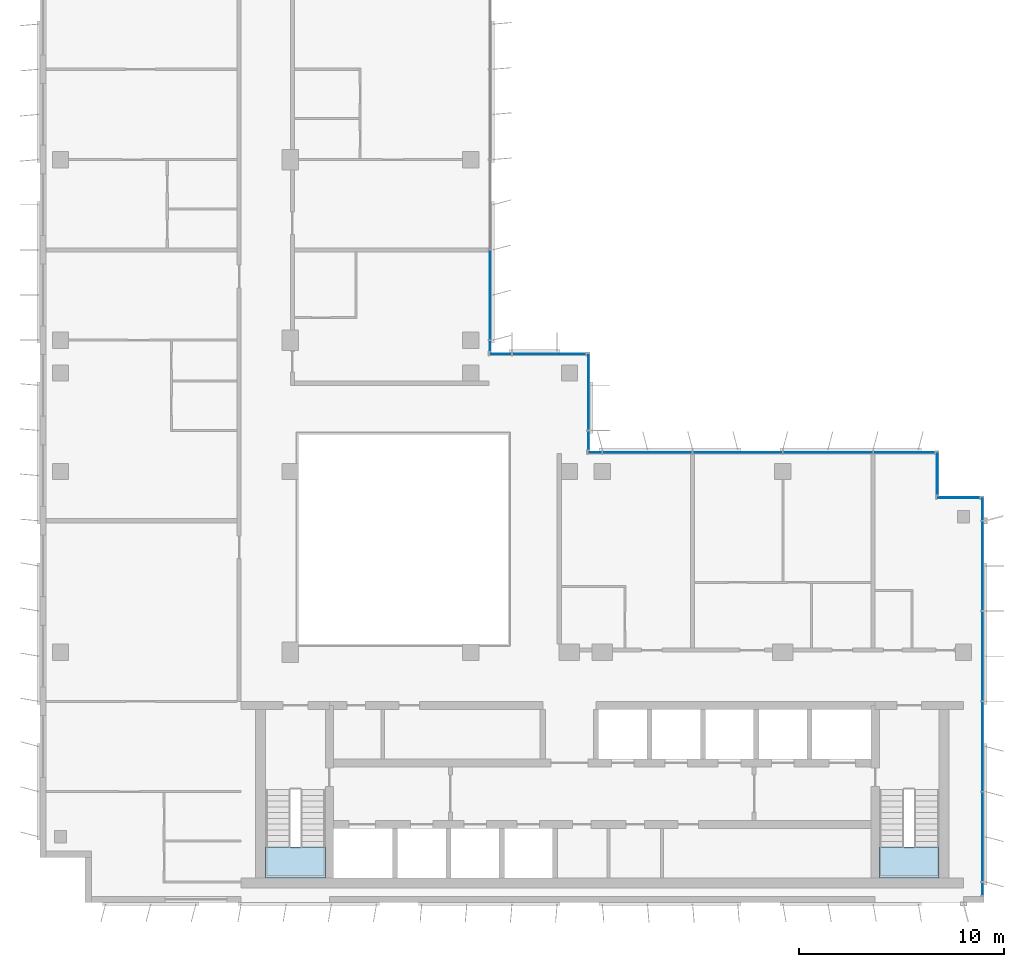
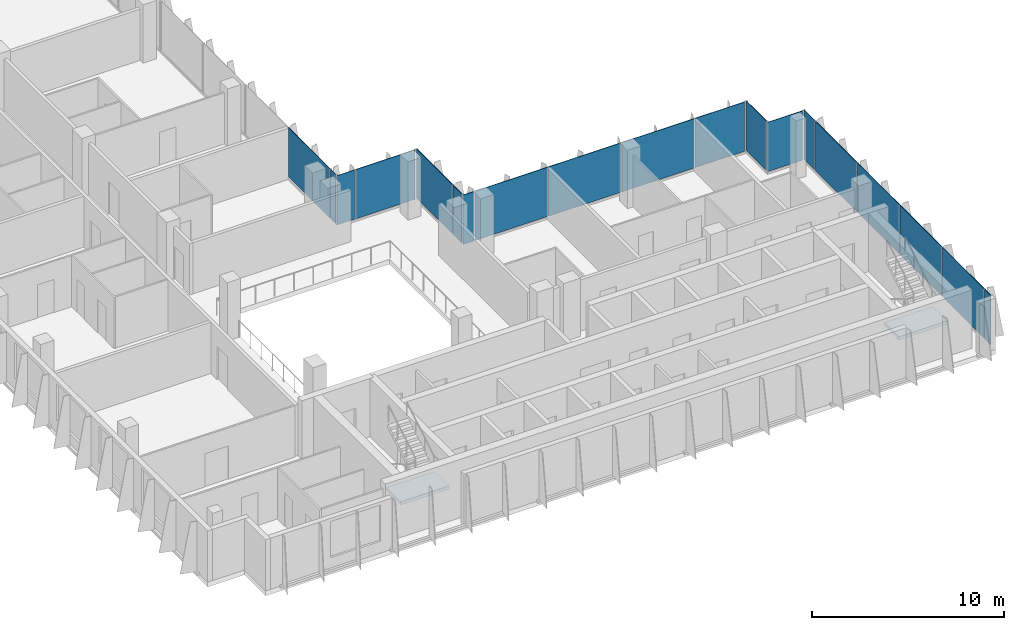
# One storey, part 7 of 15: 19 plates, 2 slabs, 9 elements without a shape of their own.
"""IFC4 building model written with IfcOpenShell, lengths in metres."""

from ifc_helpers import new_model, si_unit, direction, frame, origin, origin_2d, place, context, subcontext, project, spatial, polyline, rectangle, outline, extrude, source, transform, mapped, material, layer, layer_set, type_object, element, aggregate, save


model = new_model("IFC4")

# Units and contexts
model_context = context("Model", 3, precision=1e-05, world=origin(), true_north=direction((0.0, 1.0)))
body_context = subcontext(model_context, "Body", "Model", "MODEL_VIEW")
ifc_project = project(units=[si_unit("LENGTHUNIT", "METRE"), si_unit("AREAUNIT", "SQUARE_METRE"), si_unit("VOLUMEUNIT", "CUBIC_METRE"), si_unit("PLANEANGLEUNIT", "RADIAN"), si_unit("MASSUNIT", "GRAM", prefix="KILO")], contexts=[model_context])

# Site, building, storey
site_placement = place(None, origin())
site = spatial("IfcSite", under=ifc_project, at=site_placement, CompositionType="ELEMENT")
building_placement = place(site_placement, origin())
building = spatial("IfcBuilding", under=site, at=building_placement, Name="Kemantara Hotel Tower", CompositionType="ELEMENT")
storey_placement = place(building_placement, frame((0.0, 0.0, 305.5)))
storey = spatial("IfcBuildingStorey", under=building, at=storey_placement, Name="L77", CompositionType="ELEMENT", Elevation=305.5)

# Stair, slab
ifc_material_1 = material(Name="Concrete fc 40 MPa", Category="concrete")
stair_type = type_object("IfcStairType", Name="Stair 1200 wide 22 risers of 168 x 280 mm", PredefinedType="HALF_TURN_STAIR", material=ifc_material_1)
stair_1_placement = place(storey_placement, origin())
stair_1 = element("IfcStair", 1, at=stair_1_placement, inside=storey, type_object=stair_type, Name="L77 Exit stair ST1", PredefinedType="HALF_TURN_STAIR")
ifc_layer_1 = layer(ifc_material_1, 0.199951171875)
ifc_layer_set_1 = layer_set([ifc_layer_1], Name="Concrete fc 40 MPa")
slab_type = type_object("IfcSlabType", Name="Stair landing 200 mm", PredefinedType="LANDING", material=ifc_layer_set_1)
slab_1_placement = place(storey_placement, frame((0.0, 0.0, 1.64990234375)))
slab_1 = element("IfcSlab", 2, at=slab_1_placement, type_object=slab_type, Name="ST1 landing 1", PredefinedType="LANDING", context=body_context, shape_type="SweptSolid", body=[
    extrude(outline(polyline([(11.0, 2.699951171875), (11.0, 1.199951171875), (13.89990234375, 1.199951171875), (13.89990234375, 2.699951171875), (11.0, 2.699951171875)])), origin(), (0.0, 0.0, 1.0), 0.2001953125),
])
aggregate(stair_1, [slab_1])

stair_2_placement = place(storey_placement, origin())
stair_2 = element("IfcStair", 3, at=stair_2_placement, inside=storey, type_object=stair_type, Name="L77 Exit stair ST2", PredefinedType="HALF_TURN_STAIR")
slab_2_placement = place(storey_placement, frame((0.0, 0.0, 1.64990234375)))
slab_2 = element("IfcSlab", 4, at=slab_2_placement, type_object=slab_type, Name="ST2 landing 1", PredefinedType="LANDING", context=body_context, shape_type="SweptSolid", body=[
    extrude(outline(polyline([(40.89990234375, 2.699951171875), (40.89990234375, 1.199951171875), (43.800048828125, 1.199951171875), (43.800048828125, 2.699951171875), (40.89990234375, 2.699951171875)])), origin(), (0.0, 0.0, 1.0), 0.2001953125),
])
aggregate(stair_2, [slab_2])

# Curtain wall, plates
ifc_material_2 = material(Name="Low-E tinted double insulated glass 36 mm", Category="glass")
curtain_wall_type = type_object("IfcCurtainWallType", Name="TOWER CURTAIN WALL, FRONT FACES", PredefinedType="USERDEFINED", material=ifc_material_2)
curtain_wall_1_placement = place(storey_placement, origin())
curtain_wall_1 = element("IfcCurtainWall", 5, at=curtain_wall_1_placement, inside=storey, type_object=curtain_wall_type, Name="CW4 L77 T4-R09-1", ObjectType="TOWER CURTAIN WALL, FRONT FACES", PredefinedType="USERDEFINED")
ifc_layer_2 = layer(ifc_material_2, 0.035888671875)
ifc_layer_set_2 = layer_set([ifc_layer_2], Name="Low-E tinted double insulated glass 36 mm")
plate_type = type_object("IfcPlateType", Name="TOWER CURTAIN WALL, FRONT FACES PANEL", PredefinedType="CURTAIN_PANEL", material=ifc_layer_set_2)
shared_shape_1 = source(origin(), body_context, "Body", "SweptSolid", [
    extrude(rectangle(XDim=4.340087890625, YDim=0.035888671875, at=origin_2d()), origin(), (0.0, 0.0, 1.0), 3.1298828125),
])
plate_1_placement = place(storey_placement, frame((45.925048828125, 3.199951171875, 0.1201171875), z_axis=(0.0, 0.0, 1.0), x_axis=(0.0, 1.0, 0.0)))
plate_1 = element("IfcPlate", 6, at=plate_1_placement, type_object=plate_type, Name="CW4 glass panel T4-R09-1.2", PredefinedType="CURTAIN_PANEL", context=body_context, shape_type="MappedRepresentation", body=[
    mapped(shared_shape_1, transform((0.0, 0.0, 0.0))),
])
plate_2_placement = place(storey_placement, frame((45.925048828125, 7.60009765625, 0.1201171875), z_axis=(0.0, 0.0, 1.0), x_axis=(0.0, 1.0, 0.0)))
plate_2 = element("IfcPlate", 7, at=plate_2_placement, type_object=plate_type, Name="CW4 glass panel T4-R09-1.3", PredefinedType="CURTAIN_PANEL", context=body_context, shape_type="MappedRepresentation", body=[
    mapped(shared_shape_1, transform((0.0, 0.0, 0.0))),
])
plate_3_placement = place(storey_placement, frame((45.925048828125, 12.0, 0.1201171875), z_axis=(0.0, 0.0, 1.0), x_axis=(0.0, 1.0, 0.0)))
plate_3 = element("IfcPlate", 8, at=plate_3_placement, type_object=plate_type, Name="CW4 glass panel T4-R09-1.4", PredefinedType="CURTAIN_PANEL", context=body_context, shape_type="MappedRepresentation", body=[
    mapped(shared_shape_1, transform((0.0, 0.0, 0.0))),
])
plate_4_placement = place(storey_placement, frame((45.925048828125, 16.39990234375, 0.1201171875), z_axis=(0.0, 0.0, 1.0), x_axis=(0.0, 1.0, 0.0)))
plate_4 = element("IfcPlate", 9, at=plate_4_placement, type_object=plate_type, Name="CW4 glass panel T4-R09-1.5", PredefinedType="CURTAIN_PANEL", context=body_context, shape_type="MappedRepresentation", body=[
    mapped(shared_shape_1, transform((0.0, 0.0, 0.0))),
])

curtain_wall_2_placement = place(storey_placement, origin())
curtain_wall_2 = element("IfcCurtainWall", 10, at=curtain_wall_2_placement, inside=storey, type_object=curtain_wall_type, Name="CW4 L77 T4-R12-1", ObjectType="TOWER CURTAIN WALL, FRONT FACES", PredefinedType="USERDEFINED")
plate_5_placement = place(storey_placement, frame((38.39990234375, 21.925048828125, 0.1201171875), z_axis=(0.0, 0.0, 1.0), x_axis=(-1.0, 0.0, 0.0)))
plate_5 = element("IfcPlate", 11, at=plate_5_placement, type_object=plate_type, Name="CW4 glass panel T4-R12-1.2", PredefinedType="CURTAIN_PANEL", context=body_context, shape_type="MappedRepresentation", body=[
    mapped(shared_shape_1, transform((0.0, 0.0, 0.0))),
])
plate_6_placement = place(storey_placement, frame((34.0, 21.925048828125, 0.1201171875), z_axis=(0.0, 0.0, 1.0), x_axis=(-1.0, 0.0, 0.0)))
plate_6 = element("IfcPlate", 12, at=plate_6_placement, type_object=plate_type, Name="CW4 glass panel T4-R12-1.3", PredefinedType="CURTAIN_PANEL", context=body_context, shape_type="MappedRepresentation", body=[
    mapped(shared_shape_1, transform((0.0, 0.0, 0.0))),
])
plate_7_placement = place(storey_placement, frame((29.60009765625, 21.925048828125, 0.1201171875), z_axis=(0.0, 0.0, 1.0), x_axis=(-1.0, 0.0, 0.0)))
plate_7 = element("IfcPlate", 13, at=plate_7_placement, type_object=plate_type, Name="CW4 glass panel T4-R12-1.4", PredefinedType="CURTAIN_PANEL", context=body_context, shape_type="MappedRepresentation", body=[
    mapped(shared_shape_1, transform((0.0, 0.0, 0.0))),
])

# Curtain wall, plate
curtain_wall_3_placement = place(storey_placement, origin())
curtain_wall_3 = element("IfcCurtainWall", 14, at=curtain_wall_3_placement, inside=storey, type_object=curtain_wall_type, Name="CW4 L77 T4-R15-1", ObjectType="TOWER CURTAIN WALL, FRONT FACES", PredefinedType="USERDEFINED")
plate_8_placement = place(storey_placement, frame((21.925048828125, 29.60009765625, 0.1201171875), z_axis=(0.0, 0.0, 1.0), x_axis=(0.0, 1.0, 0.0)))
plate_8 = element("IfcPlate", 15, at=plate_8_placement, type_object=plate_type, Name="CW4 glass panel T4-R15-1.2", PredefinedType="CURTAIN_PANEL", context=body_context, shape_type="MappedRepresentation", body=[
    mapped(shared_shape_1, transform((0.0, 0.0, 0.0))),
])

# Plate
shared_shape_2 = source(origin(), body_context, "Body", "SweptSolid", [
    extrude(rectangle(XDim=2.9599609375, YDim=0.035888671875, at=origin_2d()), origin(), (0.0, 0.0, 1.0), 3.1298828125),
])
plate_9_placement = place(storey_placement, frame((42.110107421875, 21.925048828125, 0.1201171875), z_axis=(0.0, 0.0, 1.0), x_axis=(-1.0, 0.0, 0.0)))
plate_9 = element("IfcPlate", 16, at=plate_9_placement, type_object=plate_type, Name="CW4 glass panel T4-R12-1.1", PredefinedType="CURTAIN_PANEL", context=body_context, shape_type="MappedRepresentation", body=[
    mapped(shared_shape_2, transform((0.0, 0.0, 0.0))),
])

shared_shape_3 = source(origin(), body_context, "Body", "SweptSolid", [
    extrude(rectangle(XDim=0.659912109375, YDim=0.035888671875, at=origin_2d()), origin(), (0.0, 0.0, 1.0), 3.1298828125),
])
plate_10_placement = place(storey_placement, frame((27.0400390625, 21.925048828125, 0.1201171875), z_axis=(0.0, 0.0, 1.0), x_axis=(-1.0, 0.0, 0.0)))
plate_10 = element("IfcPlate", 17, at=plate_10_placement, type_object=plate_type, Name="CW4 glass panel T4-R12-1.5", PredefinedType="CURTAIN_PANEL", context=body_context, shape_type="MappedRepresentation", body=[
    mapped(shared_shape_3, transform((0.0, 0.0, 0.0))),
])

aggregate(curtain_wall_2, [plate_9, plate_5, plate_6, plate_7, plate_10])

shared_shape_4 = source(origin(), body_context, "Body", "SweptSolid", [
    extrude(rectangle(XDim=0.510009765625, YDim=0.035888671875, at=origin_2d()), origin(), (0.0, 0.0, 1.0), 3.1298828125),
])
plate_11_placement = place(storey_placement, frame((21.925048828125, 27.114990234375, 0.1201171875), z_axis=(0.0, 0.0, 1.0), x_axis=(0.0, 1.0, 0.0)))
plate_11 = element("IfcPlate", 18, at=plate_11_placement, type_object=plate_type, Name="CW4 glass panel T4-R15-1.1", PredefinedType="CURTAIN_PANEL", context=body_context, shape_type="MappedRepresentation", body=[
    mapped(shared_shape_4, transform((0.0, 0.0, 0.0))),
])

aggregate(curtain_wall_3, [plate_11, plate_8])

# Curtain wall, plate
curtain_wall_4_placement = place(storey_placement, origin())
curtain_wall_4 = element("IfcCurtainWall", 19, at=curtain_wall_4_placement, inside=storey, type_object=curtain_wall_type, Name="CW4 L77 T4-R10-1", ObjectType="TOWER CURTAIN WALL, FRONT FACES", PredefinedType="USERDEFINED")
shared_shape_5 = source(origin(), body_context, "Body", "SweptSolid", [
    extrude(rectangle(XDim=2.080078125, YDim=0.035888671875, at=origin_2d()), origin(), (0.0, 0.0, 1.0), 3.1298828125),
])
plate_12_placement = place(storey_placement, frame((44.75, 19.72509765625, 0.1201171875), z_axis=(0.0, 0.0, 1.0), x_axis=(-1.0, 0.0, 0.0)))
plate_12 = element("IfcPlate", 20, at=plate_12_placement, type_object=plate_type, Name="CW4 glass panel T4-R10-1.1", PredefinedType="CURTAIN_PANEL", context=body_context, shape_type="MappedRepresentation", body=[
    mapped(shared_shape_5, transform((0.0, 0.0, 0.0))),
])
aggregate(curtain_wall_4, [plate_12])

curtain_wall_5_placement = place(storey_placement, origin())
curtain_wall_5 = element("IfcCurtainWall", 21, at=curtain_wall_5_placement, inside=storey, type_object=curtain_wall_type, Name="CW4 L77 T4-R11-1", ObjectType="TOWER CURTAIN WALL, FRONT FACES", PredefinedType="USERDEFINED")
plate_13_placement = place(storey_placement, frame((43.72509765625, 20.89990234375, 0.1201171875), z_axis=(0.0, 0.0, 1.0), x_axis=(0.0, 1.0, 0.0)))
plate_13 = element("IfcPlate", 22, at=plate_13_placement, type_object=plate_type, Name="CW4 glass panel T4-R11-1.1", PredefinedType="CURTAIN_PANEL", context=body_context, shape_type="MappedRepresentation", body=[
    mapped(shared_shape_5, transform((0.0, 0.0, 0.0))),
])
aggregate(curtain_wall_5, [plate_13])

# Plate
shared_shape_6 = source(origin(), body_context, "Body", "SweptSolid", [
    extrude(rectangle(XDim=1.110107421875, YDim=0.035888671875, at=origin_2d()), origin(), (0.0, 0.0, 1.0), 3.1298828125),
])
plate_14_placement = place(storey_placement, frame((45.925048828125, 19.18505859375, 0.1201171875), z_axis=(0.0, 0.0, 1.0), x_axis=(0.0, 1.0, 0.0)))
plate_14 = element("IfcPlate", 23, at=plate_14_placement, type_object=plate_type, Name="CW4 glass panel T4-R09-1.6", PredefinedType="CURTAIN_PANEL", context=body_context, shape_type="MappedRepresentation", body=[
    mapped(shared_shape_6, transform((0.0, 0.0, 0.0))),
])

# Curtain wall, plates
curtain_wall_6_placement = place(storey_placement, origin())
curtain_wall_6 = element("IfcCurtainWall", 24, at=curtain_wall_6_placement, inside=storey, type_object=curtain_wall_type, Name="CW4 L77 T4-R13-1", ObjectType="TOWER CURTAIN WALL, FRONT FACES", PredefinedType="USERDEFINED")
shared_shape_7 = source(origin(), body_context, "Body", "SweptSolid", [
    extrude(rectangle(XDim=0.909912109375, YDim=0.035888671875, at=origin_2d()), origin(), (0.0, 0.0, 1.0), 3.1298828125),
])
plate_15_placement = place(storey_placement, frame((26.72509765625, 22.514892578125, 0.1201171875), z_axis=(0.0, 0.0, 1.0), x_axis=(0.0, 1.0, 0.0)))
plate_15 = element("IfcPlate", 25, at=plate_15_placement, type_object=plate_type, Name="CW4 glass panel T4-R13-1.1", PredefinedType="CURTAIN_PANEL", context=body_context, shape_type="MappedRepresentation", body=[
    mapped(shared_shape_7, transform((0.0, 0.0, 0.0))),
])
shared_shape_8 = source(origin(), body_context, "Body", "SweptSolid", [
    extrude(rectangle(XDim=3.7099609375, YDim=0.035888671875, at=origin_2d()), origin(), (0.0, 0.0, 1.0), 3.1298828125),
])
plate_16_placement = place(storey_placement, frame((26.72509765625, 24.885009765625, 0.1201171875), z_axis=(0.0, 0.0, 1.0), x_axis=(0.0, 1.0, 0.0)))
plate_16 = element("IfcPlate", 26, at=plate_16_placement, type_object=plate_type, Name="CW4 glass panel T4-R13-1.2", PredefinedType="CURTAIN_PANEL", context=body_context, shape_type="MappedRepresentation", body=[
    mapped(shared_shape_8, transform((0.0, 0.0, 0.0))),
])
aggregate(curtain_wall_6, [plate_15, plate_16])

curtain_wall_7_placement = place(storey_placement, origin())
curtain_wall_7 = element("IfcCurtainWall", 27, at=curtain_wall_7_placement, inside=storey, type_object=curtain_wall_type, Name="CW4 L77 T4-R14-1", ObjectType="TOWER CURTAIN WALL, FRONT FACES", PredefinedType="USERDEFINED")
shared_shape_9 = source(origin(), body_context, "Body", "SweptSolid", [
    extrude(rectangle(XDim=3.56005859375, YDim=0.035888671875, at=origin_2d()), origin(), (0.0, 0.0, 1.0), 3.1298828125),
])
plate_17_placement = place(storey_placement, frame((24.81005859375, 26.72509765625, 0.1201171875), z_axis=(0.0, 0.0, 1.0), x_axis=(-1.0, 0.0, 0.0)))
plate_17 = element("IfcPlate", 28, at=plate_17_placement, type_object=plate_type, Name="CW4 glass panel T4-R14-1.1", PredefinedType="CURTAIN_PANEL", context=body_context, shape_type="MappedRepresentation", body=[
    mapped(shared_shape_9, transform((0.0, 0.0, 0.0))),
])
shared_shape_10 = source(origin(), body_context, "Body", "SweptSolid", [
    extrude(rectangle(XDim=1.06005859375, YDim=0.035888671875, at=origin_2d()), origin(), (0.0, 0.0, 1.0), 3.1298828125),
])
plate_18_placement = place(storey_placement, frame((22.43994140625, 26.72509765625, 0.1201171875), z_axis=(0.0, 0.0, 1.0), x_axis=(-1.0, 0.0, 0.0)))
plate_18 = element("IfcPlate", 29, at=plate_18_placement, type_object=plate_type, Name="CW4 glass panel T4-R14-1.2", PredefinedType="CURTAIN_PANEL", context=body_context, shape_type="MappedRepresentation", body=[
    mapped(shared_shape_10, transform((0.0, 0.0, 0.0))),
])
aggregate(curtain_wall_7, [plate_17, plate_18])

# Plate
shared_shape_11 = source(origin(), body_context, "Body", "SweptSolid", [
    extrude(rectangle(XDim=0.610107421875, YDim=0.035888671875, at=origin_2d()), origin(), (0.0, 0.0, 1.0), 3.1298828125),
])
plate_19_placement = place(storey_placement, frame((45.925048828125, 0.6650390625, 0.1201171875), z_axis=(0.0, 0.0, 1.0), x_axis=(0.0, 1.0, 0.0)))
plate_19 = element("IfcPlate", 30, at=plate_19_placement, type_object=plate_type, Name="CW4 glass panel T4-R09-1.1", PredefinedType="CURTAIN_PANEL", context=body_context, shape_type="MappedRepresentation", body=[
    mapped(shared_shape_11, transform((0.0, 0.0, 0.0))),
])

aggregate(curtain_wall_1, [plate_19, plate_1, plate_2, plate_3, plate_4, plate_14])

save(model, "model.ifc")
